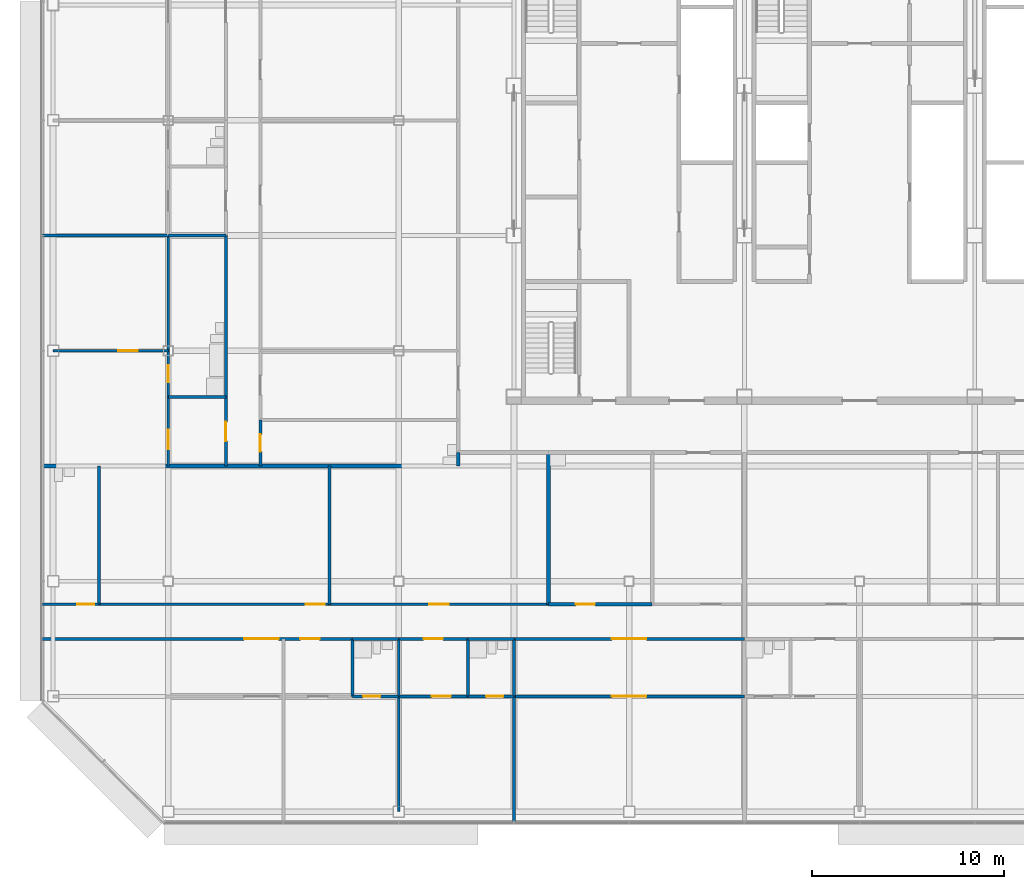
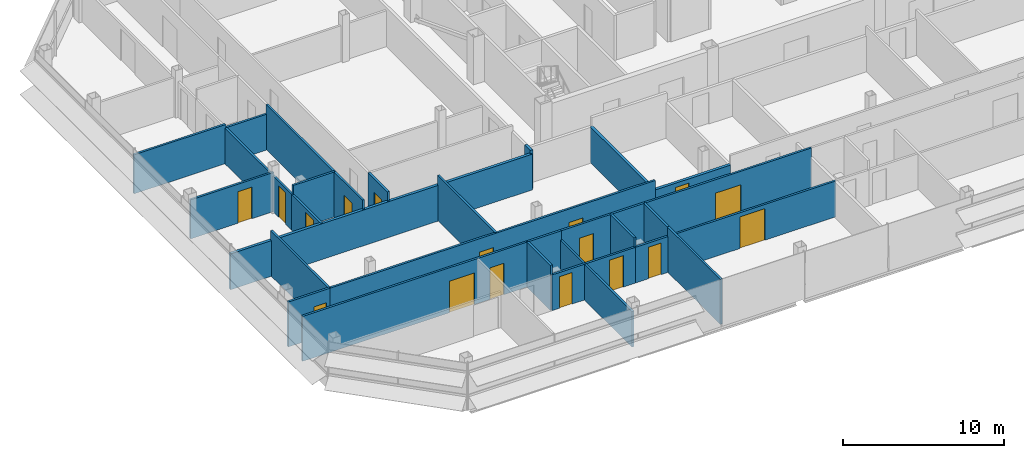
# One storey, part 20 of 27: 32 walls, 17 doors, 17 openings.
"""IFC4 building model written with IfcOpenShell, lengths in metres."""

from ifc_helpers import new_model, si_unit, direction, frame, frame_2d, origin, place, context, subcontext, project, spatial, rectangle, extrude, material, layer, layer_set, type_object, element, fill, save


model = new_model("IFC4")

# Units and contexts
model_context = context("Model", 3, precision=1e-05, world=origin(), true_north=direction((0.0, 1.0)))
body_context = subcontext(model_context, "Body", "Model", "MODEL_VIEW")
ifc_project = project(units=[si_unit("LENGTHUNIT", "METRE"), si_unit("AREAUNIT", "SQUARE_METRE"), si_unit("VOLUMEUNIT", "CUBIC_METRE"), si_unit("PLANEANGLEUNIT", "RADIAN"), si_unit("MASSUNIT", "GRAM", prefix="KILO")], contexts=[model_context])

# Site, building, storey
site_placement = place(None, origin())
site = spatial("IfcSite", under=ifc_project, at=site_placement, CompositionType="ELEMENT")
building_placement = place(site_placement, origin())
building = spatial("IfcBuilding", under=site, at=building_placement, Name="Sorahane Residences", CompositionType="ELEMENT")
storey_placement = place(building_placement, frame((0.0, 0.0, 294.39990234375)))
storey = spatial("IfcBuildingStorey", under=building, at=storey_placement, Name="L69", CompositionType="ELEMENT", Elevation=294.39990234375)

# Wall
ifc_material_1 = material(Name="Concrete blockwork C20 wall", Category="masonry")
ifc_layer_1 = layer(ifc_material_1, 0.199951171875)
ifc_layer_set_1 = layer_set([ifc_layer_1], Name="Kitchen wall 200 EI 180")
wall_type_1 = type_object("IfcWallType", Name="Kitchen wall 200 EI 180", PredefinedType="SOLIDWALL", material=ifc_layer_set_1)
wall_1_placement = place(storey_placement, frame((7.800048828125, 10.800048828125, 0.0), z_axis=(0.0, 0.0, 1.0), x_axis=(0.0, 1.0, 0.0)))
element("IfcWall", 1, at=wall_1_placement, inside=storey, type_object=wall_type_1, Name="L69 kitchen wall", PredefinedType="SOLIDWALL", context=body_context, shape_type="SweptSolid", body=[
    extrude(rectangle(XDim=7.89990234375, YDim=0.199951171875, at=frame_2d((3.949951171875, 0.0))), origin(), (0.0, 0.0, 1.0), 2.72021484375),
])

# Wall, opening, door
wall_2_placement = place(storey_placement, frame((7.800048828125, 10.800048828125, 0.0), z_axis=(0.0, 0.0, 1.0), x_axis=(1.0, 0.0, 0.0)))
wall_2 = element("IfcWall", 2, at=wall_2_placement, inside=storey, type_object=wall_type_1, Name="L69 kitchen wall", PredefinedType="SOLIDWALL", context=body_context, shape_type="SweptSolid", body=[
    extrude(rectangle(XDim=5.39990234375, YDim=0.199951171875, at=frame_2d((2.699951171875, 0.0))), origin(), (0.0, 0.0, 1.0), 2.72021484375),
])
opening_1_placement = place(wall_2_placement, frame((1.419921875, 0.0, 0.0)))
opening_1 = element("IfcOpeningElement", 3, at=opening_1_placement, cuts=wall_2, Name="Opening L69-05", PredefinedType="OPENING", context=body_context, shape_type="SweptSolid", body=[
    extrude(rectangle(XDim=1.0, YDim=2.39990234375, at=frame_2d((0.5, 1.199951171875))), frame((0.0, 0.10986328125, 0.0), z_axis=(0.0, -1.0, 0.0), x_axis=(1.0, 0.0, 0.0)), (0.0, 0.0, 1.0), 0.219970703125),
])
ifc_material_2 = material(Name="Steel", Category="steel")
door_type_1 = type_object("IfcDoorType", Name="Kitchen door 1000x2400 FD120", OperationType="NOTDEFINED", PredefinedType="DOOR", material=ifc_material_2)
door_1_placement = place(opening_1_placement, origin())
door_1 = element("IfcDoor", 4, at=door_1_placement, inside=storey, type_object=door_type_1, Name="Kitchen door L69-05", OperationType="SINGLE_SWING_RIGHT", OverallHeight=2.39990234375, OverallWidth=1.0, PredefinedType="DOOR", context=body_context, shape_type="SweptSolid", body=[
    extrude(rectangle(XDim=1.0, YDim=2.39990234375, at=frame_2d((0.5, 1.199951171875))), frame((0.0, 0.02490234375, 0.0), z_axis=(0.0, -1.0, 0.0), x_axis=(1.0, 0.0, 0.0)), (0.0, 0.0, 1.0), 0.050048828125),
])
fill(opening_1, door_1)

ifc_material_3 = material(Name="Gypsum board partition on steel studs", Category="steel")
ifc_layer_2 = layer(ifc_material_3, 0.14990234375)
ifc_layer_set_2 = layer_set([ifc_layer_2], Name="Partition 150 EI 90")
wall_type_2 = type_object("IfcWallType", Name="Partition 150 EI 90", PredefinedType="PARTITIONING", material=ifc_layer_set_2)
wall_3_placement = place(storey_placement, frame((-12.0, 18.0, 0.0), z_axis=(0.0, 0.0, 1.0), x_axis=(0.0, 1.0, 0.0)))
wall_3 = element("IfcWall", 5, at=wall_3_placement, inside=storey, type_object=wall_type_2, Name="L69 partition", PredefinedType="PARTITIONING", context=body_context, shape_type="SweptSolid", body=[
    extrude(rectangle(XDim=3.60009765625, YDim=0.14990234375, at=frame_2d((1.800048828125, 0.0))), origin(), (0.0, 0.0, 1.0), 2.72021484375),
])
opening_2_placement = place(wall_3_placement, frame((0.8798828125, 0.0, 0.0)))
opening_2 = element("IfcOpeningElement", 6, at=opening_2_placement, cuts=wall_3, Name="Opening L69-36", PredefinedType="OPENING", context=body_context, shape_type="SweptSolid", body=[
    extrude(rectangle(XDim=1.0, YDim=2.39990234375, at=frame_2d((0.5, 1.199951171875))), frame((0.0, 0.0849609375, 0.0), z_axis=(0.0, -1.0, 0.0), x_axis=(1.0, 0.0, 0.0)), (0.0, 0.0, 1.0), 0.169921875),
])
ifc_material_4 = material(Name="Timber veneered fire door", Category="wood")
door_type_2 = type_object("IfcDoorType", Name="Room door 1000x2400 FD30", OperationType="NOTDEFINED", PredefinedType="DOOR", material=ifc_material_4)
door_2_placement = place(opening_2_placement, origin())
door_2 = element("IfcDoor", 7, at=door_2_placement, inside=storey, type_object=door_type_2, Name="Room door L69-36", OperationType="SINGLE_SWING_LEFT", OverallHeight=2.39990234375, OverallWidth=1.0, PredefinedType="DOOR", context=body_context, shape_type="SweptSolid", body=[
    extrude(rectangle(XDim=1.0, YDim=2.39990234375, at=frame_2d((0.5, 1.199951171875))), frame((0.0, 0.02490234375, 0.0), z_axis=(0.0, -1.0, 0.0), x_axis=(1.0, 0.0, 0.0)), (0.0, 0.0, 1.0), 0.050048828125),
])
fill(opening_2, door_2)

# Wall
wall_4_placement = place(storey_placement, frame((-3.60009765625, 10.800048828125, 0.0), z_axis=(0.0, 0.0, 1.0), x_axis=(0.0, 1.0, 0.0)))
element("IfcWall", 8, at=wall_4_placement, inside=storey, type_object=wall_type_2, Name="L69 partition", PredefinedType="PARTITIONING", context=body_context, shape_type="SweptSolid", body=[
    extrude(rectangle(XDim=7.199951171875, YDim=0.14990234375, at=frame_2d((3.60009765625, 0.0))), origin(), (0.0, 0.0, 1.0), 3.420166015625),
])

# Wall, opening, door
wall_5_placement = place(storey_placement, frame((-9.0, 18.0, 0.0), z_axis=(0.0, 0.0, 1.0), x_axis=(0.0, 1.0, 0.0)))
wall_5 = element("IfcWall", 9, at=wall_5_placement, inside=storey, type_object=wall_type_2, Name="L69 partition", PredefinedType="PARTITIONING", context=body_context, shape_type="SweptSolid", body=[
    extrude(rectangle(XDim=3.60009765625, YDim=0.14990234375, at=frame_2d((1.800048828125, 0.0))), origin(), (0.0, 0.0, 1.0), 3.420166015625),
])
opening_3_placement = place(wall_5_placement, frame((1.300048828125, 0.0, 0.0)))
opening_3 = element("IfcOpeningElement", 10, at=opening_3_placement, cuts=wall_5, Name="Opening L69-33", PredefinedType="OPENING", context=body_context, shape_type="SweptSolid", body=[
    extrude(rectangle(XDim=1.0, YDim=2.39990234375, at=frame_2d((0.5, 1.199951171875))), frame((0.0, 0.0849609375, 0.0), z_axis=(0.0, -1.0, 0.0), x_axis=(1.0, 0.0, 0.0)), (0.0, 0.0, 1.0), 0.169921875),
])
door_3_placement = place(opening_3_placement, origin())
door_3 = element("IfcDoor", 11, at=door_3_placement, inside=storey, type_object=door_type_2, Name="Room door L69-33", OperationType="SINGLE_SWING_LEFT", OverallHeight=2.39990234375, OverallWidth=1.0, PredefinedType="DOOR", context=body_context, shape_type="SweptSolid", body=[
    extrude(rectangle(XDim=1.0, YDim=2.39990234375, at=frame_2d((0.5, 1.199951171875))), frame((0.0, 0.02490234375, 0.0), z_axis=(0.0, -1.0, 0.0), x_axis=(1.0, 0.0, 0.0)), (0.0, 0.0, 1.0), 0.050048828125),
])
fill(opening_3, door_3)

# Walls
wall_6_placement = place(storey_placement, frame((0.0, 0.0, 0.0), z_axis=(0.0, 0.0, 1.0), x_axis=(0.0, 1.0, 0.0)))
element("IfcWall", 12, at=wall_6_placement, inside=storey, type_object=wall_type_2, Name="L69 partition", PredefinedType="PARTITIONING", context=body_context, shape_type="SweptSolid", body=[
    extrude(rectangle(XDim=6.0, YDim=0.14990234375, at=frame_2d((3.0, 0.0))), origin(), (0.0, 0.0, 1.0), 2.72021484375),
])
wall_7_placement = place(storey_placement, frame((6.0, -0.60009765625, 0.0), z_axis=(0.0, 0.0, 1.0), x_axis=(0.0, 1.0, 0.0)))
element("IfcWall", 13, at=wall_7_placement, inside=storey, type_object=wall_type_2, Name="L69 partition", PredefinedType="PARTITIONING", context=body_context, shape_type="SweptSolid", body=[
    extrude(rectangle(XDim=6.60009765625, YDim=0.14990234375, at=frame_2d((3.300048828125, 0.0))), origin(), (0.0, 0.0, 1.0), 3.420166015625),
])

# Wall, openings, doors
wall_8_placement = place(storey_placement, frame((-15.60009765625, 10.800048828125, 0.0), z_axis=(0.0, 0.0, 1.0), x_axis=(1.0, 0.0, 0.0)))
wall_8 = element("IfcWall", 14, at=wall_8_placement, inside=storey, type_object=wall_type_2, Name="L69 partition", PredefinedType="PARTITIONING", context=body_context, shape_type="SweptSolid", body=[
    extrude(rectangle(XDim=23.400146484375, YDim=0.14990234375, at=frame_2d((11.7001953125, 0.0))), origin(), (0.0, 0.0, 1.0), 3.420166015625),
])
opening_4_placement = place(wall_8_placement, frame((10.75, 0.0, 0.0)))
opening_4 = element("IfcOpeningElement", 15, at=opening_4_placement, cuts=wall_8, Name="Opening L69-03", PredefinedType="OPENING", context=body_context, shape_type="SweptSolid", body=[
    extrude(rectangle(XDim=1.0, YDim=2.39990234375, at=frame_2d((0.5, 1.199951171875))), frame((0.0, 0.0849609375, 0.0), z_axis=(0.0, -1.0, 0.0), x_axis=(1.0, 0.0, 0.0)), (0.0, 0.0, 1.0), 0.169921875),
])
opening_5_placement = place(wall_8_placement, frame((17.199951171875, 0.0, 0.0)))
opening_5 = element("IfcOpeningElement", 16, at=opening_5_placement, cuts=wall_8, Name="Opening L69-04", PredefinedType="OPENING", context=body_context, shape_type="SweptSolid", body=[
    extrude(rectangle(XDim=1.0, YDim=2.39990234375, at=frame_2d((0.5, 1.199951171875))), frame((0.0, 0.0849609375, 0.0), z_axis=(0.0, -1.0, 0.0), x_axis=(1.0, 0.0, 0.0)), (0.0, 0.0, 1.0), 0.169921875),
])
door_4_placement = place(opening_4_placement, origin())
door_4 = element("IfcDoor", 17, at=door_4_placement, inside=storey, type_object=door_type_2, Name="Room door L69-03", OperationType="SINGLE_SWING_RIGHT", OverallHeight=2.39990234375, OverallWidth=1.0, PredefinedType="DOOR", context=body_context, shape_type="SweptSolid", body=[
    extrude(rectangle(XDim=1.0, YDim=2.39990234375, at=frame_2d((0.5, 1.199951171875))), frame((0.0, 0.02490234375, 0.0), z_axis=(0.0, -1.0, 0.0), x_axis=(1.0, 0.0, 0.0)), (0.0, 0.0, 1.0), 0.050048828125),
])
fill(opening_4, door_4)
door_5_placement = place(opening_5_placement, origin())
door_5 = element("IfcDoor", 18, at=door_5_placement, inside=storey, type_object=door_type_2, Name="Room door L69-04", OperationType="SINGLE_SWING_RIGHT", OverallHeight=2.39990234375, OverallWidth=1.0, PredefinedType="DOOR", context=body_context, shape_type="SweptSolid", body=[
    extrude(rectangle(XDim=1.0, YDim=2.39990234375, at=frame_2d((0.5, 1.199951171875))), frame((0.0, 0.02490234375, 0.0), z_axis=(0.0, -1.0, 0.0), x_axis=(1.0, 0.0, 0.0)), (0.0, 0.0, 1.0), 0.050048828125),
])
fill(opening_5, door_5)

# Wall, opening, door
wall_9_placement = place(storey_placement, frame((-18.0, 24.0, 0.0), z_axis=(0.0, 0.0, 1.0), x_axis=(1.0, 0.0, 0.0)))
wall_9 = element("IfcWall", 19, at=wall_9_placement, inside=storey, type_object=wall_type_2, Name="L69 partition", PredefinedType="PARTITIONING", context=body_context, shape_type="SweptSolid", body=[
    extrude(rectangle(XDim=6.0, YDim=0.14990234375, at=frame_2d((3.0, 0.0))), origin(), (0.0, 0.0, 1.0), 2.97021484375),
])
opening_6_placement = place(wall_9_placement, frame((3.39990234375, 0.0, 0.0)))
opening_6 = element("IfcOpeningElement", 20, at=opening_6_placement, cuts=wall_9, Name="Opening L69-37", PredefinedType="OPENING", context=body_context, shape_type="SweptSolid", body=[
    extrude(rectangle(XDim=1.0, YDim=2.39990234375, at=frame_2d((0.5, 1.199951171875))), frame((0.0, 0.0849609375, 0.0), z_axis=(0.0, -1.0, 0.0), x_axis=(1.0, 0.0, 0.0)), (0.0, 0.0, 1.0), 0.169921875),
])
door_6_placement = place(opening_6_placement, origin())
door_6 = element("IfcDoor", 21, at=door_6_placement, inside=storey, type_object=door_type_2, Name="Room door L69-37", OperationType="SINGLE_SWING_RIGHT", OverallHeight=2.39990234375, OverallWidth=1.0, PredefinedType="DOOR", context=body_context, shape_type="SweptSolid", body=[
    extrude(rectangle(XDim=1.0, YDim=2.39990234375, at=frame_2d((0.5, 1.199951171875))), frame((0.0, 0.02490234375, 0.0), z_axis=(0.0, -1.0, 0.0), x_axis=(1.0, 0.0, 0.0)), (0.0, 0.0, 1.0), 0.050048828125),
])
fill(opening_6, door_6)

# Wall
wall_10_placement = place(storey_placement, frame((-18.60009765625, 30.0, 0.0), z_axis=(0.0, 0.0, 1.0), x_axis=(1.0, 0.0, 0.0)))
element("IfcWall", 22, at=wall_10_placement, inside=storey, type_object=wall_type_2, Name="L69 partition", PredefinedType="PARTITIONING", context=body_context, shape_type="SweptSolid", body=[
    extrude(rectangle(XDim=6.60009765625, YDim=0.14990234375, at=frame_2d((3.300048828125, 0.0))), origin(), (0.0, 0.0, 1.0), 2.97021484375),
])

# Wall, opening, door
wall_11_placement = place(storey_placement, frame((0.0, 6.0, 0.0), z_axis=(0.0, 0.0, 1.0), x_axis=(1.0, 0.0, 0.0)))
wall_11 = element("IfcWall", 23, at=wall_11_placement, inside=storey, type_object=wall_type_2, Name="L69 partition", PredefinedType="PARTITIONING", context=body_context, shape_type="SweptSolid", body=[
    extrude(rectangle(XDim=3.60009765625, YDim=0.14990234375, at=frame_2d((1.800048828125, 0.0))), origin(), (0.0, 0.0, 1.0), 2.72021484375),
])
opening_7_placement = place(wall_11_placement, frame((1.719970703125, 0.0, 0.0)))
opening_7 = element("IfcOpeningElement", 24, at=opening_7_placement, cuts=wall_11, Name="Opening L69-13", PredefinedType="OPENING", context=body_context, shape_type="SweptSolid", body=[
    extrude(rectangle(XDim=1.0, YDim=2.39990234375, at=frame_2d((0.5, 1.199951171875))), frame((0.0, 0.0849609375, 0.0), z_axis=(0.0, -1.0, 0.0), x_axis=(1.0, 0.0, 0.0)), (0.0, 0.0, 1.0), 0.169921875),
])
door_7_placement = place(opening_7_placement, frame((1.0, 0.0, 0.0), z_axis=(0.0, 0.0, 1.0), x_axis=(-1.0, 0.0, 0.0)))
door_7 = element("IfcDoor", 25, at=door_7_placement, inside=storey, type_object=door_type_2, Name="Room door L69-13", OperationType="SINGLE_SWING_RIGHT", OverallHeight=2.39990234375, OverallWidth=1.0, PredefinedType="DOOR", context=body_context, shape_type="SweptSolid", body=[
    extrude(rectangle(XDim=1.0, YDim=2.39990234375, at=frame_2d((0.5, 1.199951171875))), frame((0.0, 0.02490234375, 0.0), z_axis=(0.0, -1.0, 0.0), x_axis=(1.0, 0.0, 0.0)), (0.0, 0.0, 1.0), 0.050048828125),
])
fill(opening_7, door_7)

wall_12_placement = place(storey_placement, frame((6.0, 6.0, 0.0), z_axis=(0.0, 0.0, 1.0), x_axis=(1.0, 0.0, 0.0)))
wall_12 = element("IfcWall", 26, at=wall_12_placement, inside=storey, type_object=wall_type_2, Name="L69 partition", PredefinedType="PARTITIONING", context=body_context, shape_type="SweptSolid", body=[
    extrude(rectangle(XDim=12.0, YDim=0.14990234375, at=frame_2d((6.0, 0.0))), origin(), (0.0, 0.0, 1.0), 2.72021484375),
])
opening_8_placement = place(wall_12_placement, frame((5.10009765625, 0.0, 0.0)))
opening_8 = element("IfcOpeningElement", 27, at=opening_8_placement, cuts=wall_12, Name="Opening L69-15", PredefinedType="OPENING", context=body_context, shape_type="SweptSolid", body=[
    extrude(rectangle(XDim=1.800048828125, YDim=2.39990234375, at=frame_2d((0.89990234375, 1.199951171875))), frame((0.0, 0.0849609375, 0.0), z_axis=(0.0, -1.0, 0.0), x_axis=(1.0, 0.0, 0.0)), (0.0, 0.0, 1.0), 0.169921875),
])
ifc_material_5 = material(Name="Timber veneered fire door", Category="wood")
door_type_3 = type_object("IfcDoorType", Name="Double door 1800x2400 FD30", OperationType="NOTDEFINED", PredefinedType="DOOR", material=ifc_material_5)
door_8_placement = place(opening_8_placement, frame((1.800048828125, 0.0, 0.0), z_axis=(0.0, 0.0, 1.0), x_axis=(-1.0, 0.0, 0.0)))
door_8 = element("IfcDoor", 28, at=door_8_placement, inside=storey, type_object=door_type_3, Name="Double door L69-15", OperationType="SINGLE_SWING_RIGHT", OverallHeight=2.39990234375, OverallWidth=1.800048828125, PredefinedType="DOOR", context=body_context, shape_type="SweptSolid", body=[
    extrude(rectangle(XDim=1.800048828125, YDim=2.39990234375, at=frame_2d((0.89990234375, 1.199951171875))), frame((0.0, 0.02490234375, 0.0), z_axis=(0.0, -1.0, 0.0), x_axis=(1.0, 0.0, 0.0)), (0.0, 0.0, 1.0), 0.050048828125),
])
fill(opening_8, door_8)

# Wall, openings, doors
wall_13_placement = place(storey_placement, frame((-18.60009765625, 9.0, 0.0), z_axis=(0.0, 0.0, 1.0), x_axis=(1.0, 0.0, 0.0)))
wall_13 = element("IfcWall", 29, at=wall_13_placement, inside=storey, type_object=wall_type_2, Name="L69 partition", PredefinedType="PARTITIONING", context=body_context, shape_type="SweptSolid", body=[
    extrude(rectangle(XDim=16.2001953125, YDim=0.14990234375, at=frame_2d((8.10009765625, 0.0))), origin(), (0.0, 0.0, 1.0), 3.420166015625),
])
opening_9_placement = place(wall_13_placement, frame((10.550048828125, 0.0, 0.0)))
opening_9 = element("IfcOpeningElement", 30, at=opening_9_placement, cuts=wall_13, Name="Opening L69-06", PredefinedType="OPENING", context=body_context, shape_type="SweptSolid", body=[
    extrude(rectangle(XDim=1.800048828125, YDim=2.39990234375, at=frame_2d((0.89990234375, 1.199951171875))), frame((0.0, 0.0849609375, 0.0), z_axis=(0.0, -1.0, 0.0), x_axis=(1.0, 0.0, 0.0)), (0.0, 0.0, 1.0), 0.169921875),
])
opening_10_placement = place(wall_13_placement, frame((13.47998046875, 0.0, 0.0)))
opening_10 = element("IfcOpeningElement", 31, at=opening_10_placement, cuts=wall_13, Name="Opening L69-07", PredefinedType="OPENING", context=body_context, shape_type="SweptSolid", body=[
    extrude(rectangle(XDim=1.0, YDim=2.39990234375, at=frame_2d((0.5, 1.199951171875))), frame((0.0, 0.0849609375, 0.0), z_axis=(0.0, -1.0, 0.0), x_axis=(1.0, 0.0, 0.0)), (0.0, 0.0, 1.0), 0.169921875),
])
door_9_placement = place(opening_9_placement, frame((1.800048828125, 0.0, 0.0), z_axis=(0.0, 0.0, 1.0), x_axis=(-1.0, 0.0, 0.0)))
door_9 = element("IfcDoor", 32, at=door_9_placement, inside=storey, type_object=door_type_3, Name="Double door L69-06", OperationType="SINGLE_SWING_LEFT", OverallHeight=2.39990234375, OverallWidth=1.800048828125, PredefinedType="DOOR", context=body_context, shape_type="SweptSolid", body=[
    extrude(rectangle(XDim=1.800048828125, YDim=2.39990234375, at=frame_2d((0.89990234375, 1.199951171875))), frame((0.0, 0.02490234375, 0.0), z_axis=(0.0, -1.0, 0.0), x_axis=(1.0, 0.0, 0.0)), (0.0, 0.0, 1.0), 0.050048828125),
])
fill(opening_9, door_9)
door_10_placement = place(opening_10_placement, frame((1.0, 0.0, 0.0), z_axis=(0.0, 0.0, 1.0), x_axis=(-1.0, 0.0, 0.0)))
door_10 = element("IfcDoor", 33, at=door_10_placement, inside=storey, type_object=door_type_2, Name="Room door L69-07", OperationType="SINGLE_SWING_LEFT", OverallHeight=2.39990234375, OverallWidth=1.0, PredefinedType="DOOR", context=body_context, shape_type="SweptSolid", body=[
    extrude(rectangle(XDim=1.0, YDim=2.39990234375, at=frame_2d((0.5, 1.199951171875))), frame((0.0, 0.02490234375, 0.0), z_axis=(0.0, -1.0, 0.0), x_axis=(1.0, 0.0, 0.0)), (0.0, 0.0, 1.0), 0.050048828125),
])
fill(opening_10, door_10)

# Wall, opening, door
wall_14_placement = place(storey_placement, frame((0.0, 9.0, 0.0), z_axis=(0.0, 0.0, 1.0), x_axis=(1.0, 0.0, 0.0)))
wall_14 = element("IfcWall", 34, at=wall_14_placement, inside=storey, type_object=wall_type_2, Name="L69 partition", PredefinedType="PARTITIONING", context=body_context, shape_type="SweptSolid", body=[
    extrude(rectangle(XDim=3.60009765625, YDim=0.14990234375, at=frame_2d((1.800048828125, 0.0))), origin(), (0.0, 0.0, 1.0), 3.420166015625),
])
opening_11_placement = place(wall_14_placement, frame((1.300048828125, 0.0, 0.0)))
opening_11 = element("IfcOpeningElement", 35, at=opening_11_placement, cuts=wall_14, Name="Opening L69-08", PredefinedType="OPENING", context=body_context, shape_type="SweptSolid", body=[
    extrude(rectangle(XDim=1.0, YDim=2.39990234375, at=frame_2d((0.5, 1.199951171875))), frame((0.0, 0.0849609375, 0.0), z_axis=(0.0, -1.0, 0.0), x_axis=(1.0, 0.0, 0.0)), (0.0, 0.0, 1.0), 0.169921875),
])
door_11_placement = place(opening_11_placement, frame((1.0, 0.0, 0.0), z_axis=(0.0, 0.0, 1.0), x_axis=(-1.0, 0.0, 0.0)))
door_11 = element("IfcDoor", 36, at=door_11_placement, inside=storey, type_object=door_type_2, Name="Room door L69-08", OperationType="SINGLE_SWING_RIGHT", OverallHeight=2.39990234375, OverallWidth=1.0, PredefinedType="DOOR", context=body_context, shape_type="SweptSolid", body=[
    extrude(rectangle(XDim=1.0, YDim=2.39990234375, at=frame_2d((0.5, 1.199951171875))), frame((0.0, 0.02490234375, 0.0), z_axis=(0.0, -1.0, 0.0), x_axis=(1.0, 0.0, 0.0)), (0.0, 0.0, 1.0), 0.050048828125),
])
fill(opening_11, door_11)

wall_15_placement = place(storey_placement, frame((6.0, 9.0, 0.0), z_axis=(0.0, 0.0, 1.0), x_axis=(1.0, 0.0, 0.0)))
wall_15 = element("IfcWall", 37, at=wall_15_placement, inside=storey, type_object=wall_type_2, Name="L69 partition", PredefinedType="PARTITIONING", context=body_context, shape_type="SweptSolid", body=[
    extrude(rectangle(XDim=12.0, YDim=0.14990234375, at=frame_2d((6.0, 0.0))), origin(), (0.0, 0.0, 1.0), 3.420166015625),
])
opening_12_placement = place(wall_15_placement, frame((5.10009765625, 0.0, 0.0)))
opening_12 = element("IfcOpeningElement", 38, at=opening_12_placement, cuts=wall_15, Name="Opening L69-09", PredefinedType="OPENING", context=body_context, shape_type="SweptSolid", body=[
    extrude(rectangle(XDim=1.800048828125, YDim=2.39990234375, at=frame_2d((0.89990234375, 1.199951171875))), frame((0.0, 0.0849609375, 0.0), z_axis=(0.0, -1.0, 0.0), x_axis=(1.0, 0.0, 0.0)), (0.0, 0.0, 1.0), 0.169921875),
])
door_12_placement = place(opening_12_placement, frame((1.800048828125, 0.0, 0.0), z_axis=(0.0, 0.0, 1.0), x_axis=(-1.0, 0.0, 0.0)))
door_12 = element("IfcDoor", 39, at=door_12_placement, inside=storey, type_object=door_type_3, Name="Double door L69-09", OperationType="SINGLE_SWING_LEFT", OverallHeight=2.39990234375, OverallWidth=1.800048828125, PredefinedType="DOOR", context=body_context, shape_type="SweptSolid", body=[
    extrude(rectangle(XDim=1.800048828125, YDim=2.39990234375, at=frame_2d((0.89990234375, 1.199951171875))), frame((0.0, 0.02490234375, 0.0), z_axis=(0.0, -1.0, 0.0), x_axis=(1.0, 0.0, 0.0)), (0.0, 0.0, 1.0), 0.050048828125),
])
fill(opening_12, door_12)

# Walls
ifc_material_6 = material(Name="Concrete blockwork C20 wall", Category="masonry")
ifc_layer_3 = layer(ifc_material_6, 0.199951171875)
ifc_layer_set_3 = layer_set([ifc_layer_3], Name="Party wall 200 EI 120")
wall_type_3 = type_object("IfcWallType", Name="Party wall 200 EI 120", PredefinedType="SOLIDWALL", material=ifc_layer_set_3)
wall_16_placement = place(storey_placement, frame((3.10009765625, 18.0, 0.0), z_axis=(0.0, 0.0, 1.0), x_axis=(0.0, 1.0, 0.0)))
element("IfcWall", 40, at=wall_16_placement, inside=storey, type_object=wall_type_3, Name="L69 party wall", PredefinedType="SOLIDWALL", context=body_context, shape_type="SweptSolid", body=[
    extrude(rectangle(XDim=0.699951171875, YDim=0.199951171875, at=frame_2d((0.35009765625, 0.0))), origin(), (0.0, 0.0, 1.0), 2.97021484375),
])
wall_17_placement = place(storey_placement, frame((-18.60009765625, 18.0, 0.0), z_axis=(0.0, 0.0, 1.0), x_axis=(1.0, 0.0, 0.0)))
element("IfcWall", 41, at=wall_17_placement, inside=storey, type_object=wall_type_3, Name="L69 party wall", PredefinedType="SOLIDWALL", context=body_context, shape_type="SweptSolid", body=[
    extrude(rectangle(XDim=21.7001953125, YDim=0.199951171875, at=frame_2d((10.85009765625, 0.0))), origin(), (0.0, 0.0, 1.0), 2.72021484375),
])

# Wall, opening, door
ifc_material_7 = material(Name="Gypsum board partition on steel studs", Category="steel")
ifc_layer_4 = layer(ifc_material_7, 0.14990234375)
ifc_layer_set_4 = layer_set([ifc_layer_4], Name="Wet wall 150 EI 90")
wall_type_4 = type_object("IfcWallType", Name="Wet wall 150 EI 90", PredefinedType="PARTITIONING", material=ifc_layer_set_4)
wall_18_placement = place(storey_placement, frame((-12.0, 21.60009765625, 0.0), z_axis=(0.0, 0.0, 1.0), x_axis=(0.0, 1.0, 0.0)))
wall_18 = element("IfcWall", 42, at=wall_18_placement, inside=storey, type_object=wall_type_4, Name="L69 wet wall", PredefinedType="PARTITIONING", context=body_context, shape_type="SweptSolid", body=[
    extrude(rectangle(XDim=8.39990234375, YDim=0.14990234375, at=frame_2d((4.199951171875, 0.0))), origin(), (0.0, 0.0, 1.0), 2.72021484375),
])
opening_13_placement = place(wall_18_placement, frame((0.75, 0.0, 0.0)))
opening_13 = element("IfcOpeningElement", 43, at=opening_13_placement, cuts=wall_18, Name="Opening L69-38", PredefinedType="OPENING", context=body_context, shape_type="SweptSolid", body=[
    extrude(rectangle(XDim=0.89990234375, YDim=2.39990234375, at=frame_2d((0.449951171875, 1.199951171875))), frame((0.0, 0.0849609375, 0.0), z_axis=(0.0, -1.0, 0.0), x_axis=(1.0, 0.0, 0.0)), (0.0, 0.0, 1.0), 0.169921875),
])
ifc_material_8 = material(Name="Timber veneered fire door", Category="wood")
door_type_4 = type_object("IfcDoorType", Name="Bathroom door 900x2400 FD30", OperationType="NOTDEFINED", PredefinedType="DOOR", material=ifc_material_8)
door_13_placement = place(opening_13_placement, origin())
door_13 = element("IfcDoor", 44, at=door_13_placement, inside=storey, type_object=door_type_4, Name="Bathroom door L69-38", OperationType="SINGLE_SWING_RIGHT", OverallHeight=2.39990234375, OverallWidth=0.89990234375, PredefinedType="DOOR", context=body_context, shape_type="SweptSolid", body=[
    extrude(rectangle(XDim=0.89990234375, YDim=2.39990234375, at=frame_2d((0.449951171875, 1.199951171875))), frame((0.0, 0.02490234375, 0.0), z_axis=(0.0, -1.0, 0.0), x_axis=(1.0, 0.0, 0.0)), (0.0, 0.0, 1.0), 0.050048828125),
])
fill(opening_13, door_13)

# Walls
wall_19_placement = place(storey_placement, frame((-15.60009765625, 10.800048828125, 0.0), z_axis=(0.0, 0.0, 1.0), x_axis=(0.0, 1.0, 0.0)))
element("IfcWall", 45, at=wall_19_placement, inside=storey, type_object=wall_type_4, Name="L69 wet wall", PredefinedType="PARTITIONING", context=body_context, shape_type="SweptSolid", body=[
    extrude(rectangle(XDim=7.199951171875, YDim=0.14990234375, at=frame_2d((3.60009765625, 0.0))), origin(), (0.0, 0.0, 1.0), 3.420166015625),
])
wall_20_placement = place(storey_placement, frame((-2.39990234375, 6.0, 0.0), z_axis=(0.0, 0.0, 1.0), x_axis=(0.0, 1.0, 0.0)))
element("IfcWall", 46, at=wall_20_placement, inside=storey, type_object=wall_type_4, Name="L69 wet wall", PredefinedType="PARTITIONING", context=body_context, shape_type="SweptSolid", body=[
    extrude(rectangle(XDim=3.0, YDim=0.14990234375, at=frame_2d((1.5, 0.0))), origin(), (0.0, 0.0, 1.0), 3.420166015625),
])

# Wall, opening, door
wall_21_placement = place(storey_placement, frame((-7.199951171875, 18.0, 0.0), z_axis=(0.0, 0.0, 1.0), x_axis=(0.0, 1.0, 0.0)))
wall_21 = element("IfcWall", 47, at=wall_21_placement, inside=storey, type_object=wall_type_4, Name="L69 wet wall", PredefinedType="PARTITIONING", context=body_context, shape_type="SweptSolid", body=[
    extrude(rectangle(XDim=2.39990234375, YDim=0.14990234375, at=frame_2d((1.199951171875, 0.0))), origin(), (0.0, 0.0, 1.0), 3.420166015625),
])
opening_14_placement = place(wall_21_placement, frame((0.75, 0.0, 0.0)))
opening_14 = element("IfcOpeningElement", 48, at=opening_14_placement, cuts=wall_21, Name="Opening L69-29", PredefinedType="OPENING", context=body_context, shape_type="SweptSolid", body=[
    extrude(rectangle(XDim=0.89990234375, YDim=2.39990234375, at=frame_2d((0.449951171875, 1.199951171875))), frame((0.0, 0.0849609375, 0.0), z_axis=(0.0, -1.0, 0.0), x_axis=(1.0, 0.0, 0.0)), (0.0, 0.0, 1.0), 0.169921875),
])
door_14_placement = place(opening_14_placement, origin())
door_14 = element("IfcDoor", 49, at=door_14_placement, inside=storey, type_object=door_type_4, Name="Bathroom door L69-29", OperationType="SINGLE_SWING_LEFT", OverallHeight=2.39990234375, OverallWidth=0.89990234375, PredefinedType="DOOR", context=body_context, shape_type="SweptSolid", body=[
    extrude(rectangle(XDim=0.89990234375, YDim=2.39990234375, at=frame_2d((0.449951171875, 1.199951171875))), frame((0.0, 0.02490234375, 0.0), z_axis=(0.0, -1.0, 0.0), x_axis=(1.0, 0.0, 0.0)), (0.0, 0.0, 1.0), 0.050048828125),
])
fill(opening_14, door_14)

# Walls
wall_22_placement = place(storey_placement, frame((-9.0, 21.60009765625, 0.0), z_axis=(0.0, 0.0, 1.0), x_axis=(0.0, 1.0, 0.0)))
element("IfcWall", 50, at=wall_22_placement, inside=storey, type_object=wall_type_4, Name="L69 wet wall", PredefinedType="PARTITIONING", context=body_context, shape_type="SweptSolid", body=[
    extrude(rectangle(XDim=8.39990234375, YDim=0.14990234375, at=frame_2d((4.199951171875, 0.0))), origin(), (0.0, 0.0, 1.0), 3.420166015625),
])
wall_23_placement = place(storey_placement, frame((0.0, 6.0, 0.0), z_axis=(0.0, 0.0, 1.0), x_axis=(0.0, 1.0, 0.0)))
element("IfcWall", 51, at=wall_23_placement, inside=storey, type_object=wall_type_4, Name="L69 wet wall", PredefinedType="PARTITIONING", context=body_context, shape_type="SweptSolid", body=[
    extrude(rectangle(XDim=3.0, YDim=0.14990234375, at=frame_2d((1.5, 0.0))), origin(), (0.0, 0.0, 1.0), 2.72021484375),
])
for number, where, z_axis, x_axis, name in (
    (52, (3.60009765625, 6.0, 0.0), (0.0, 0.0, 1.0), (0.0, 1.0, 0.0), "L69 wet wall"),
    (53, (6.0, 6.0, 0.0), (0.0, 0.0, 1.0), (0.0, 1.0, 0.0), "L69 wet wall"),
):
    element("IfcWall", number, at=place(storey_placement, frame(where, z_axis=z_axis, x_axis=x_axis)), inside=storey, type_object=wall_type_4, Name=name, PredefinedType="PARTITIONING", context=body_context, shape_type="SweptSolid", body=[
        extrude(rectangle(XDim=3.0, YDim=0.14990234375, at=frame_2d((1.5, 0.0))), origin(), (0.0, 0.0, 1.0), 3.420166015625),
    ])

# Wall, opening, door
wall_24_placement = place(storey_placement, frame((-18.60009765625, 10.800048828125, 0.0), z_axis=(0.0, 0.0, 1.0), x_axis=(1.0, 0.0, 0.0)))
wall_24 = element("IfcWall", 54, at=wall_24_placement, inside=storey, type_object=wall_type_4, Name="L69 wet wall", PredefinedType="PARTITIONING", context=body_context, shape_type="SweptSolid", body=[
    extrude(rectangle(XDim=3.0, YDim=0.14990234375, at=frame_2d((1.5, 0.0))), origin(), (0.0, 0.0, 1.0), 3.420166015625),
])
opening_15_placement = place(wall_24_placement, frame((1.85009765625, 0.0, 0.0)))
opening_15 = element("IfcOpeningElement", 55, at=opening_15_placement, cuts=wall_24, Name="Opening L69-02", PredefinedType="OPENING", context=body_context, shape_type="SweptSolid", body=[
    extrude(rectangle(XDim=0.89990234375, YDim=2.39990234375, at=frame_2d((0.449951171875, 1.199951171875))), frame((0.0, 0.0849609375, 0.0), z_axis=(0.0, -1.0, 0.0), x_axis=(1.0, 0.0, 0.0)), (0.0, 0.0, 1.0), 0.169921875),
])
door_15_placement = place(opening_15_placement, frame((0.89990234375, 0.0, 0.0), z_axis=(0.0, 0.0, 1.0), x_axis=(-1.0, 0.0, 0.0)))
door_15 = element("IfcDoor", 56, at=door_15_placement, inside=storey, type_object=door_type_4, Name="Bathroom door L69-02", OperationType="SINGLE_SWING_LEFT", OverallHeight=2.39990234375, OverallWidth=0.89990234375, PredefinedType="DOOR", context=body_context, shape_type="SweptSolid", body=[
    extrude(rectangle(XDim=0.89990234375, YDim=2.39990234375, at=frame_2d((0.449951171875, 1.199951171875))), frame((0.0, 0.02490234375, 0.0), z_axis=(0.0, -1.0, 0.0), x_axis=(1.0, 0.0, 0.0)), (0.0, 0.0, 1.0), 0.050048828125),
])
fill(opening_15, door_15)

# Walls
wall_25_placement = place(storey_placement, frame((-12.0, 21.60009765625, 0.0), z_axis=(0.0, 0.0, 1.0), x_axis=(1.0, 0.0, 0.0)))
element("IfcWall", 57, at=wall_25_placement, inside=storey, type_object=wall_type_4, Name="L69 wet wall", PredefinedType="PARTITIONING", context=body_context, shape_type="SweptSolid", body=[
    extrude(rectangle(XDim=3.0, YDim=0.14990234375, at=frame_2d((1.5, 0.0))), origin(), (0.0, 0.0, 1.0), 3.420166015625),
])
wall_26_placement = place(storey_placement, frame((-12.0, 30.0, 0.0), z_axis=(0.0, 0.0, 1.0), x_axis=(1.0, 0.0, 0.0)))
element("IfcWall", 58, at=wall_26_placement, inside=storey, type_object=wall_type_4, Name="L69 wet wall", PredefinedType="PARTITIONING", context=body_context, shape_type="SweptSolid", body=[
    extrude(rectangle(XDim=3.0, YDim=0.14990234375, at=frame_2d((1.5, 0.0))), origin(), (0.0, 0.0, 1.0), 2.72021484375),
])

# Wall, opening, door
wall_27_placement = place(storey_placement, frame((-2.39990234375, 6.0, 0.0), z_axis=(0.0, 0.0, 1.0), x_axis=(1.0, 0.0, 0.0)))
wall_27 = element("IfcWall", 59, at=wall_27_placement, inside=storey, type_object=wall_type_4, Name="L69 wet wall", PredefinedType="PARTITIONING", context=body_context, shape_type="SweptSolid", body=[
    extrude(rectangle(XDim=2.39990234375, YDim=0.14990234375, at=frame_2d((1.199951171875, 0.0))), origin(), (0.0, 0.0, 1.0), 2.72021484375),
])
opening_16_placement = place(wall_27_placement, frame((0.550048828125, 0.0, 0.0)))
opening_16 = element("IfcOpeningElement", 60, at=opening_16_placement, cuts=wall_27, Name="Opening L69-12", PredefinedType="OPENING", context=body_context, shape_type="SweptSolid", body=[
    extrude(rectangle(XDim=0.89990234375, YDim=2.39990234375, at=frame_2d((0.449951171875, 1.199951171875))), frame((0.0, 0.0849609375, 0.0), z_axis=(0.0, -1.0, 0.0), x_axis=(1.0, 0.0, 0.0)), (0.0, 0.0, 1.0), 0.169921875),
])
door_16_placement = place(opening_16_placement, frame((0.89990234375, 0.0, 0.0), z_axis=(0.0, 0.0, 1.0), x_axis=(-1.0, 0.0, 0.0)))
door_16 = element("IfcDoor", 61, at=door_16_placement, inside=storey, type_object=door_type_4, Name="Bathroom door L69-12", OperationType="SINGLE_SWING_LEFT", OverallHeight=2.39990234375, OverallWidth=0.89990234375, PredefinedType="DOOR", context=body_context, shape_type="SweptSolid", body=[
    extrude(rectangle(XDim=0.89990234375, YDim=2.39990234375, at=frame_2d((0.449951171875, 1.199951171875))), frame((0.0, 0.02490234375, 0.0), z_axis=(0.0, -1.0, 0.0), x_axis=(1.0, 0.0, 0.0)), (0.0, 0.0, 1.0), 0.050048828125),
])
fill(opening_16, door_16)

wall_28_placement = place(storey_placement, frame((3.60009765625, 6.0, 0.0), z_axis=(0.0, 0.0, 1.0), x_axis=(1.0, 0.0, 0.0)))
wall_28 = element("IfcWall", 62, at=wall_28_placement, inside=storey, type_object=wall_type_4, Name="L69 wet wall", PredefinedType="PARTITIONING", context=body_context, shape_type="SweptSolid", body=[
    extrude(rectangle(XDim=2.39990234375, YDim=0.14990234375, at=frame_2d((1.199951171875, 0.0))), origin(), (0.0, 0.0, 1.0), 2.72021484375),
])
opening_17_placement = place(wall_28_placement, frame((0.949951171875, 0.0, 0.0)))
opening_17 = element("IfcOpeningElement", 63, at=opening_17_placement, cuts=wall_28, Name="Opening L69-14", PredefinedType="OPENING", context=body_context, shape_type="SweptSolid", body=[
    extrude(rectangle(XDim=0.89990234375, YDim=2.39990234375, at=frame_2d((0.449951171875, 1.199951171875))), frame((0.0, 0.0849609375, 0.0), z_axis=(0.0, -1.0, 0.0), x_axis=(1.0, 0.0, 0.0)), (0.0, 0.0, 1.0), 0.169921875),
])
door_17_placement = place(opening_17_placement, frame((0.89990234375, 0.0, 0.0), z_axis=(0.0, 0.0, 1.0), x_axis=(-1.0, 0.0, 0.0)))
door_17 = element("IfcDoor", 64, at=door_17_placement, inside=storey, type_object=door_type_4, Name="Bathroom door L69-14", OperationType="SINGLE_SWING_RIGHT", OverallHeight=2.39990234375, OverallWidth=0.89990234375, PredefinedType="DOOR", context=body_context, shape_type="SweptSolid", body=[
    extrude(rectangle(XDim=0.89990234375, YDim=2.39990234375, at=frame_2d((0.449951171875, 1.199951171875))), frame((0.0, 0.02490234375, 0.0), z_axis=(0.0, -1.0, 0.0), x_axis=(1.0, 0.0, 0.0)), (0.0, 0.0, 1.0), 0.050048828125),
])
fill(opening_17, door_17)

# Walls
for number, where, z_axis, x_axis, name in (
    (65, (-2.39990234375, 9.0, 0.0), (0.0, 0.0, 1.0), (1.0, 0.0, 0.0), "L69 wet wall"),
    (66, (3.60009765625, 9.0, 0.0), (0.0, 0.0, 1.0), (1.0, 0.0, 0.0), "L69 wet wall"),
):
    element("IfcWall", number, at=place(storey_placement, frame(where, z_axis=z_axis, x_axis=x_axis)), inside=storey, type_object=wall_type_4, Name=name, PredefinedType="PARTITIONING", context=body_context, shape_type="SweptSolid", body=[
        extrude(rectangle(XDim=2.39990234375, YDim=0.14990234375, at=frame_2d((1.199951171875, 0.0))), origin(), (0.0, 0.0, 1.0), 3.420166015625),
    ])

save(model, "model.ifc")
